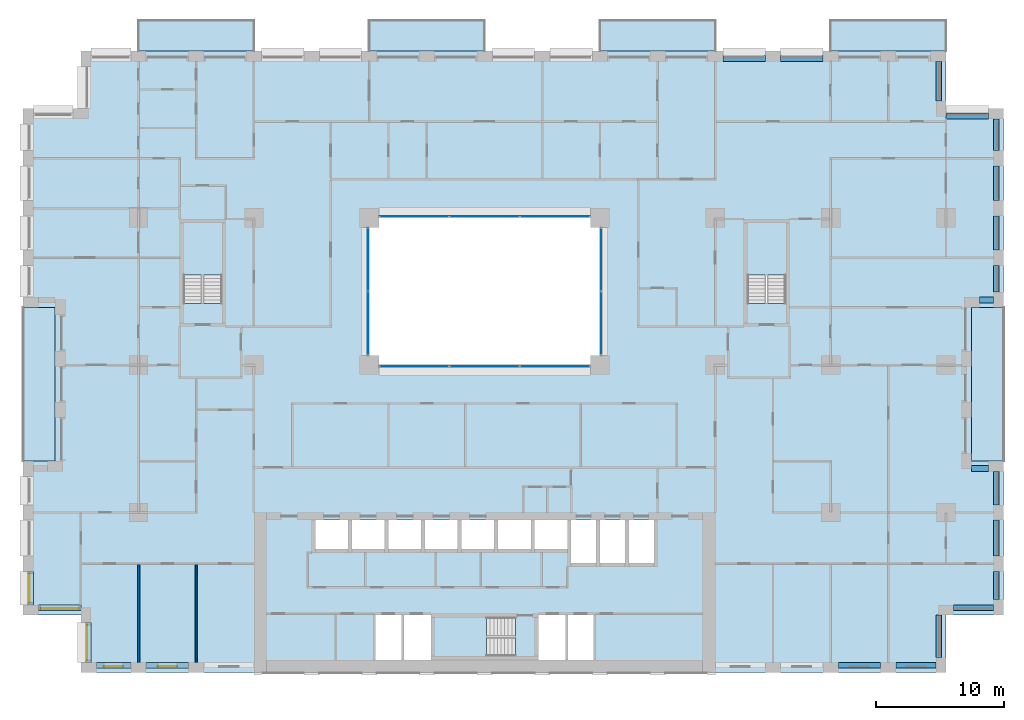
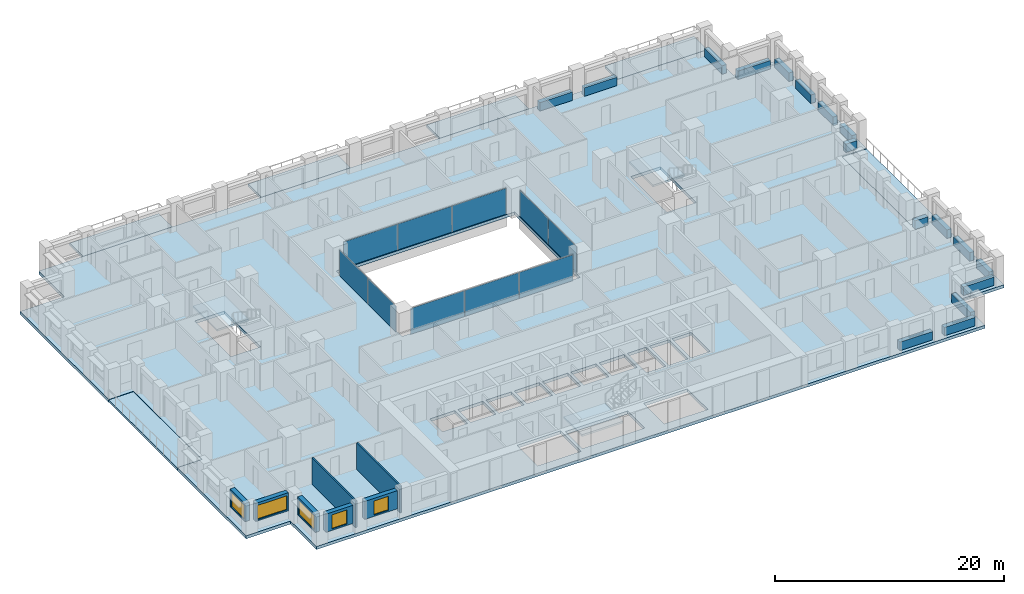
# One storey, part 8 of 19: 17 beams, 10 plates, 10 slabs, 7 walls, 5 windows, 5 openings, 7 elements without a shape of their own.
"""IFC4 building model written with IfcOpenShell, lengths in metres."""

from ifc_helpers import new_model, si_unit, direction, frame, frame_2d, origin, origin_2d, place, context, subcontext, project, spatial, polyline, rectangle, outline, extrude, material, layer, layer_set, material_profile, profile_set, type_object, element, fill, aggregate, save


model = new_model("IFC4")

# Units and contexts
model_context = context("Model", 3, precision=1e-05, world=origin(), true_north=direction((0.0, 1.0)))
body_context = subcontext(model_context, "Body", "Model", "MODEL_VIEW")
ifc_project = project(units=[si_unit("LENGTHUNIT", "METRE"), si_unit("AREAUNIT", "SQUARE_METRE"), si_unit("VOLUMEUNIT", "CUBIC_METRE"), si_unit("PLANEANGLEUNIT", "RADIAN"), si_unit("MASSUNIT", "GRAM", prefix="KILO")], contexts=[model_context])

# Site, building, storey
site_placement = place(None, origin())
site = spatial("IfcSite", under=ifc_project, at=site_placement, CompositionType="ELEMENT")
building_placement = place(site_placement, origin())
building = spatial("IfcBuilding", under=site, at=building_placement, Name="Brigalow Station Residences", CompositionType="ELEMENT")
storey_placement = place(building_placement, frame((0.0, 0.0, 35.25)))
storey = spatial("IfcBuildingStorey", under=building, at=storey_placement, Name="L09", CompositionType="ELEMENT", Elevation=35.25)

# Beams
ifc_material_1 = material(Name="Concrete C65", Category="concrete")
ifc_material_profile = material_profile(ifc_material_1, rectangle(XDim=0.449951171875, YDim=0.89990234375, at=origin_2d()), Name="RC450x900")
ifc_profile_set = profile_set([ifc_material_profile], Name="Concrete C65")
beam_type = type_object("IfcBeamType", Name="SPANDREL BEAM 450x900 C65", PredefinedType="SPANDREL", material=ifc_profile_set)
beam_1_placement = place(storey_placement, frame((63.60009765625, 0.574951171875, 0.449951171875), z_axis=(1.0, 0.0, 0.0), x_axis=(0.0, 1.0, 0.0)))
element("IfcBeam", 1, at=beam_1_placement, inside=storey, type_object=beam_type, Name="L09/spandrel/W-L09-7", PredefinedType="SPANDREL", context=body_context, shape_type="SweptSolid", body=[
    extrude(rectangle(XDim=0.449951171875, YDim=0.89990234375, at=origin_2d()), origin(), (0.0, 0.0, 1.0), 3.2998046875),
])
beam_2_placement = place(storey_placement, frame((68.10009765625, 0.574951171875, 0.449951171875), z_axis=(1.0, 0.0, 0.0), x_axis=(0.0, 1.0, 0.0)))
element("IfcBeam", 2, at=beam_2_placement, inside=storey, type_object=beam_type, Name="L09/spandrel/W-L09-8", PredefinedType="SPANDREL", context=body_context, shape_type="SweptSolid", body=[
    extrude(rectangle(XDim=0.449951171875, YDim=0.89990234375, at=origin_2d()), origin(), (0.0, 0.0, 1.0), 3.099853515625),
])
beam_3_placement = place(storey_placement, frame((71.425048828125, 1.199951171875, 0.449951171875), z_axis=(0.0, 1.0, 0.0), x_axis=(-1.0, 0.0, 0.0)))
element("IfcBeam", 3, at=beam_3_placement, inside=storey, type_object=beam_type, Name="L09/spandrel/W-L09-9", PredefinedType="SPANDREL", context=body_context, shape_type="SweptSolid", body=[
    extrude(rectangle(XDim=0.449951171875, YDim=0.89990234375, at=origin_2d()), origin(), (0.0, 0.0, 1.0), 3.300048828125),
])
beam_4_placement = place(storey_placement, frame((72.60009765625, 5.074951171875, 0.449951171875), z_axis=(1.0, 0.0, 0.0), x_axis=(0.0, 1.0, 0.0)))
element("IfcBeam", 4, at=beam_4_placement, inside=storey, type_object=beam_type, Name="L09/spandrel/W-L09-10", PredefinedType="SPANDREL", context=body_context, shape_type="SweptSolid", body=[
    extrude(rectangle(XDim=0.449951171875, YDim=0.89990234375, at=origin_2d()), origin(), (0.0, 0.0, 1.0), 3.099853515625),
])
beam_5_placement = place(storey_placement, frame((75.925048828125, 5.699951171875, 0.449951171875), z_axis=(0.0, 1.0, 0.0), x_axis=(-1.0, 0.0, 0.0)))
element("IfcBeam", 5, at=beam_5_placement, inside=storey, type_object=beam_type, Name="L09/spandrel/W-L09-11", PredefinedType="SPANDREL", context=body_context, shape_type="SweptSolid", body=[
    extrude(rectangle(XDim=0.449951171875, YDim=0.89990234375, at=origin_2d()), origin(), (0.0, 0.0, 1.0), 2.199951171875),
])
beam_6_placement = place(storey_placement, frame((75.925048828125, 9.10009765625, 0.449951171875), z_axis=(0.0, 1.0, 0.0), x_axis=(-1.0, 0.0, 0.0)))
element("IfcBeam", 6, at=beam_6_placement, inside=storey, type_object=beam_type, Name="L09/spandrel/W-L09-12", PredefinedType="SPANDREL", context=body_context, shape_type="SweptSolid", body=[
    extrude(rectangle(XDim=0.449951171875, YDim=0.89990234375, at=origin_2d()), origin(), (0.0, 0.0, 1.0), 2.7998046875),
])
beam_7_placement = place(storey_placement, frame((75.925048828125, 13.10009765625, 0.449951171875), z_axis=(0.0, 1.0, 0.0), x_axis=(-1.0, 0.0, 0.0)))
element("IfcBeam", 7, at=beam_7_placement, inside=storey, type_object=beam_type, Name="L09/spandrel/W-L09-13", PredefinedType="SPANDREL", context=body_context, shape_type="SweptSolid", body=[
    extrude(rectangle(XDim=0.449951171875, YDim=0.89990234375, at=origin_2d()), origin(), (0.0, 0.0, 1.0), 2.599853515625),
])
beam_8_placement = place(storey_placement, frame((75.300048828125, 15.925048828125, 0.449951171875), z_axis=(-1.0, 0.0, 0.0), x_axis=(0.0, -1.0, 0.0)))
element("IfcBeam", 8, at=beam_8_placement, inside=storey, type_object=beam_type, Name="L09/spandrel/W-L09-14", PredefinedType="SPANDREL", context=body_context, shape_type="SweptSolid", body=[
    extrude(rectangle(XDim=0.449951171875, YDim=0.89990234375, at=origin_2d()), origin(), (0.0, 0.0, 1.0), 1.300048828125),
])
beam_9_placement = place(storey_placement, frame((74.60009765625, 29.074951171875, 0.449951171875), z_axis=(1.0, 0.0, 0.0), x_axis=(0.0, 1.0, 0.0)))
element("IfcBeam", 9, at=beam_9_placement, inside=storey, type_object=beam_type, Name="L09/spandrel/W-L09-18", PredefinedType="SPANDREL", context=body_context, shape_type="SweptSolid", body=[
    extrude(rectangle(XDim=0.449951171875, YDim=0.89990234375, at=origin_2d()), origin(), (0.0, 0.0, 1.0), 1.099853515625),
])
beam_10_placement = place(storey_placement, frame((75.925048828125, 29.699951171875, 0.449951171875), z_axis=(0.0, 1.0, 0.0), x_axis=(-1.0, 0.0, 0.0)))
element("IfcBeam", 10, at=beam_10_placement, inside=storey, type_object=beam_type, Name="L09/spandrel/W-L09-19", PredefinedType="SPANDREL", context=body_context, shape_type="SweptSolid", body=[
    extrude(rectangle(XDim=0.449951171875, YDim=0.89990234375, at=origin_2d()), origin(), (0.0, 0.0, 1.0), 2.074951171875),
])
for number, where, z_axis, x_axis, name in (
    (11, (75.925048828125, 32.97509765625, 0.449951171875), (0.0, 1.0, 0.0), (-1.0, 0.0, 0.0), "L09/spandrel/W-L09-20"),
    (12, (75.925048828125, 36.85009765625, 0.449951171875), (0.0, 1.0, 0.0), (-1.0, 0.0, 0.0), "L09/spandrel/W-L09-21"),
):
    element("IfcBeam", number, at=place(storey_placement, frame(where, z_axis=z_axis, x_axis=x_axis)), inside=storey, type_object=beam_type, Name=name, PredefinedType="SPANDREL", context=body_context, shape_type="SweptSolid", body=[
        extrude(rectangle(XDim=0.449951171875, YDim=0.89990234375, at=origin_2d()), origin(), (0.0, 0.0, 1.0), 2.6748046875),
    ])
beam_11_placement = place(storey_placement, frame((75.925048828125, 40.72509765625, 0.449951171875), z_axis=(0.0, 1.0, 0.0), x_axis=(-1.0, 0.0, 0.0)))
element("IfcBeam", 13, at=beam_11_placement, inside=storey, type_object=beam_type, Name="L09/spandrel/W-L09-22", PredefinedType="SPANDREL", context=body_context, shape_type="SweptSolid", body=[
    extrude(rectangle(XDim=0.449951171875, YDim=0.89990234375, at=origin_2d()), origin(), (0.0, 0.0, 1.0), 2.474853515625),
])
beam_12_placement = place(storey_placement, frame((75.300048828125, 43.425048828125, 0.449951171875), z_axis=(-1.0, 0.0, 0.0), x_axis=(0.0, -1.0, 0.0)))
element("IfcBeam", 14, at=beam_12_placement, inside=storey, type_object=beam_type, Name="L09/spandrel/W-L09-23", PredefinedType="SPANDREL", context=body_context, shape_type="SweptSolid", body=[
    extrude(rectangle(XDim=0.449951171875, YDim=0.89990234375, at=origin_2d()), origin(), (0.0, 0.0, 1.0), 3.300048828125),
])
beam_13_placement = place(storey_placement, frame((71.425048828125, 44.60009765625, 0.449951171875), z_axis=(0.0, 1.0, 0.0), x_axis=(-1.0, 0.0, 0.0)))
element("IfcBeam", 15, at=beam_13_placement, inside=storey, type_object=beam_type, Name="L09/spandrel/W-L09-24", PredefinedType="SPANDREL", context=body_context, shape_type="SweptSolid", body=[
    extrude(rectangle(XDim=0.449951171875, YDim=0.89990234375, at=origin_2d()), origin(), (0.0, 0.0, 1.0), 3.099853515625),
])
for number, where, z_axis, x_axis, name in (
    (16, (62.39990234375, 47.925048828125, 0.449951171875), (-1.0, 0.0, 0.0), (0.0, -1.0, 0.0), "L09/spandrel/W-L09-27"),
    (17, (57.89990234375, 47.925048828125, 0.449951171875), (-1.0, 0.0, 0.0), (0.0, -1.0, 0.0), "L09/spandrel/W-L09-28"),
):
    element("IfcBeam", number, at=place(storey_placement, frame(where, z_axis=z_axis, x_axis=x_axis)), inside=storey, type_object=beam_type, Name=name, PredefinedType="SPANDREL", context=body_context, shape_type="SweptSolid", body=[
        extrude(rectangle(XDim=0.449951171875, YDim=0.89990234375, at=origin_2d()), origin(), (0.0, 0.0, 1.0), 3.2998046875),
    ])

# Curtain wall, plates
ifc_material_2 = material(Name="Aluminium", Category="aluminium")
ifc_layer_1 = layer(ifc_material_2, 0.14990234375)
ifc_layer_set_1 = layer_set([ifc_layer_1], Name="ATRIUM FIRE-RATED GLAZING CURTAIN WALL")
curtain_wall_type = type_object("IfcCurtainWallType", Name="ATRIUM FIRE-RATED GLAZING CURTAIN WALL", PredefinedType="NOTDEFINED", material=ifc_layer_set_1)
curtain_wall_1_placement = place(storey_placement, origin())
curtain_wall_1 = element("IfcCurtainWall", 18, at=curtain_wall_1_placement, inside=storey, type_object=curtain_wall_type, Name="L09/cw/atrium-S", PredefinedType="NOTDEFINED")
ifc_material_3 = material(Name="Fire-resisting laminated glazing, FRL -/60/-", Category="glass")
ifc_layer_2 = layer(ifc_material_3, 0.031982421875)
ifc_layer_set_2 = layer_set([ifc_layer_2], Name="ATRIUM FIRE-RATED GLAZING PANEL 32")
plate_type = type_object("IfcPlateType", Name="ATRIUM FIRE-RATED GLAZING PANEL 32", PredefinedType="CURTAIN_PANEL", material=ifc_layer_set_2)
plate_1_placement = place(storey_placement, frame((30.514892578125, 23.89990234375, 0.0), z_axis=(0.0, 0.0, 1.0), x_axis=(1.0, 0.0, 0.0)))
plate_1 = element("IfcPlate", 19, at=plate_1_placement, type_object=plate_type, Name="L09/cw/atrium-S/P00-00", PredefinedType="CURTAIN_PANEL", context=body_context, shape_type="SweptSolid", body=[
    extrude(rectangle(XDim=5.409912109375, YDim=0.031982421875, at=origin_2d()), origin(), (0.0, 0.0, 1.0), 2.77001953125),
])
plate_2_placement = place(storey_placement, frame((36.0, 23.89990234375, 0.0), z_axis=(0.0, 0.0, 1.0), x_axis=(1.0, 0.0, 0.0)))
plate_2 = element("IfcPlate", 20, at=plate_2_placement, type_object=plate_type, Name="L09/cw/atrium-S/P01-00", PredefinedType="CURTAIN_PANEL", context=body_context, shape_type="SweptSolid", body=[
    extrude(rectangle(XDim=5.43994140625, YDim=0.031982421875, at=origin_2d()), origin(), (0.0, 0.0, 1.0), 2.77001953125),
])
plate_3_placement = place(storey_placement, frame((41.485107421875, 23.89990234375, 0.0), z_axis=(0.0, 0.0, 1.0), x_axis=(1.0, 0.0, 0.0)))
plate_3 = element("IfcPlate", 21, at=plate_3_placement, type_object=plate_type, Name="L09/cw/atrium-S/P02-00", PredefinedType="CURTAIN_PANEL", context=body_context, shape_type="SweptSolid", body=[
    extrude(rectangle(XDim=5.409912109375, YDim=0.031982421875, at=origin_2d()), origin(), (0.0, 0.0, 1.0), 2.77001953125),
])
aggregate(curtain_wall_1, [plate_1, plate_2, plate_3])

curtain_wall_2_placement = place(storey_placement, origin())
curtain_wall_2 = element("IfcCurtainWall", 22, at=curtain_wall_2_placement, inside=storey, type_object=curtain_wall_type, Name="L09/cw/atrium-E", PredefinedType="NOTDEFINED")
plate_4_placement = place(storey_placement, frame((45.10009765625, 27.264892578125, 0.0), z_axis=(0.0, 0.0, 1.0), x_axis=(0.0, 1.0, 0.0)))
plate_4 = element("IfcPlate", 23, at=plate_4_placement, type_object=plate_type, Name="L09/cw/atrium-E/P00-00", PredefinedType="CURTAIN_PANEL", context=body_context, shape_type="SweptSolid", body=[
    extrude(rectangle(XDim=4.909912109375, YDim=0.031982421875, at=origin_2d()), origin(), (0.0, 0.0, 1.0), 2.77001953125),
])
plate_5_placement = place(storey_placement, frame((45.10009765625, 32.235107421875, 0.0), z_axis=(0.0, 0.0, 1.0), x_axis=(0.0, 1.0, 0.0)))
plate_5 = element("IfcPlate", 24, at=plate_5_placement, type_object=plate_type, Name="L09/cw/atrium-E/P01-00", PredefinedType="CURTAIN_PANEL", context=body_context, shape_type="SweptSolid", body=[
    extrude(rectangle(XDim=4.909912109375, YDim=0.031982421875, at=origin_2d()), origin(), (0.0, 0.0, 1.0), 2.77001953125),
])
aggregate(curtain_wall_2, [plate_4, plate_5])

curtain_wall_3_placement = place(storey_placement, origin())
curtain_wall_3 = element("IfcCurtainWall", 25, at=curtain_wall_3_placement, inside=storey, type_object=curtain_wall_type, Name="L09/cw/atrium-N", PredefinedType="NOTDEFINED")
plate_6_placement = place(storey_placement, frame((41.485107421875, 35.60009765625, 0.0), z_axis=(0.0, 0.0, 1.0), x_axis=(-1.0, 0.0, 0.0)))
plate_6 = element("IfcPlate", 26, at=plate_6_placement, type_object=plate_type, Name="L09/cw/atrium-N/P00-00", PredefinedType="CURTAIN_PANEL", context=body_context, shape_type="SweptSolid", body=[
    extrude(rectangle(XDim=5.409912109375, YDim=0.031982421875, at=origin_2d()), origin(), (0.0, 0.0, 1.0), 2.77001953125),
])
plate_7_placement = place(storey_placement, frame((36.0, 35.60009765625, 0.0), z_axis=(0.0, 0.0, 1.0), x_axis=(-1.0, 0.0, 0.0)))
plate_7 = element("IfcPlate", 27, at=plate_7_placement, type_object=plate_type, Name="L09/cw/atrium-N/P01-00", PredefinedType="CURTAIN_PANEL", context=body_context, shape_type="SweptSolid", body=[
    extrude(rectangle(XDim=5.43994140625, YDim=0.031982421875, at=origin_2d()), origin(), (0.0, 0.0, 1.0), 2.77001953125),
])
plate_8_placement = place(storey_placement, frame((30.514892578125, 35.60009765625, 0.0), z_axis=(0.0, 0.0, 1.0), x_axis=(-1.0, 0.0, 0.0)))
plate_8 = element("IfcPlate", 28, at=plate_8_placement, type_object=plate_type, Name="L09/cw/atrium-N/P02-00", PredefinedType="CURTAIN_PANEL", context=body_context, shape_type="SweptSolid", body=[
    extrude(rectangle(XDim=5.409912109375, YDim=0.031982421875, at=origin_2d()), origin(), (0.0, 0.0, 1.0), 2.77001953125),
])
aggregate(curtain_wall_3, [plate_6, plate_7, plate_8])

curtain_wall_4_placement = place(storey_placement, origin())
curtain_wall_4 = element("IfcCurtainWall", 29, at=curtain_wall_4_placement, inside=storey, type_object=curtain_wall_type, Name="L09/cw/atrium-W", PredefinedType="NOTDEFINED")
plate_9_placement = place(storey_placement, frame((26.89990234375, 32.235107421875, 0.0), z_axis=(0.0, 0.0, 1.0), x_axis=(0.0, -1.0, 0.0)))
plate_9 = element("IfcPlate", 30, at=plate_9_placement, type_object=plate_type, Name="L09/cw/atrium-W/P00-00", PredefinedType="CURTAIN_PANEL", context=body_context, shape_type="SweptSolid", body=[
    extrude(rectangle(XDim=4.909912109375, YDim=0.031982421875, at=origin_2d()), origin(), (0.0, 0.0, 1.0), 2.77001953125),
])
plate_10_placement = place(storey_placement, frame((26.89990234375, 27.264892578125, 0.0), z_axis=(0.0, 0.0, 1.0), x_axis=(0.0, -1.0, 0.0)))
plate_10 = element("IfcPlate", 31, at=plate_10_placement, type_object=plate_type, Name="L09/cw/atrium-W/P01-00", PredefinedType="CURTAIN_PANEL", context=body_context, shape_type="SweptSolid", body=[
    extrude(rectangle(XDim=4.909912109375, YDim=0.031982421875, at=origin_2d()), origin(), (0.0, 0.0, 1.0), 2.77001953125),
])
aggregate(curtain_wall_4, [plate_9, plate_10])

# Slabs
ifc_material_4 = material(Name="Concrete C50 precast", Category="concrete")
ifc_layer_3 = layer(ifc_material_4, 0.25)
ifc_layer_set_3 = layer_set([ifc_layer_3], Name="BALCONY SLAB 250")
slab_type_1 = type_object("IfcSlabType", Name="BALCONY SLAB 250", PredefinedType="USERDEFINED", material=ifc_layer_set_3)
slab_1_placement = place(storey_placement, frame((0.0, 0.0, -0.2900390625)))
element("IfcSlab", 32, at=slab_1_placement, inside=storey, type_object=slab_type_1, Name="L09/balcony/1", ObjectType="BALCONY", PredefinedType="USERDEFINED", context=body_context, shape_type="SweptSolid", body=[
    extrude(outline(polyline([(74.0, 16.5), (76.5, 16.5), (76.5, 28.5), (74.0, 28.5), (74.0, 16.5)])), origin(), (0.0, 0.0, 1.0), 0.25),
])
slab_2_placement = place(storey_placement, frame((0.0, 0.0, -0.2900390625)))
element("IfcSlab", 33, at=slab_2_placement, inside=storey, type_object=slab_type_1, Name="L09/balcony/2", ObjectType="BALCONY", PredefinedType="USERDEFINED", context=body_context, shape_type="SweptSolid", body=[
    extrude(outline(polyline([(72.0, 48.5), (72.0, 50.89990234375), (63.0, 50.89990234375), (63.0, 48.5), (72.0, 48.5)])), origin(), (0.0, 0.0, 1.0), 0.25),
])
slab_3_placement = place(storey_placement, frame((0.0, 0.0, -0.2900390625)))
element("IfcSlab", 34, at=slab_3_placement, inside=storey, type_object=slab_type_1, Name="L09/balcony/3", ObjectType="BALCONY", PredefinedType="USERDEFINED", context=body_context, shape_type="SweptSolid", body=[
    extrude(outline(polyline([(54.0, 48.5), (54.0, 50.89990234375), (45.0, 50.89990234375), (45.0, 48.5), (54.0, 48.5)])), origin(), (0.0, 0.0, 1.0), 0.25),
])
slab_4_placement = place(storey_placement, frame((0.0, 0.0, -0.2900390625)))
element("IfcSlab", 35, at=slab_4_placement, inside=storey, type_object=slab_type_1, Name="L09/balcony/4", ObjectType="BALCONY", PredefinedType="USERDEFINED", context=body_context, shape_type="SweptSolid", body=[
    extrude(outline(polyline([(36.0, 48.5), (36.0, 50.89990234375), (27.0, 50.89990234375), (27.0, 48.5), (36.0, 48.5)])), origin(), (0.0, 0.0, 1.0), 0.25),
])
slab_5_placement = place(storey_placement, frame((0.0, 0.0, -0.2900390625)))
element("IfcSlab", 36, at=slab_5_placement, inside=storey, type_object=slab_type_1, Name="L09/balcony/5", ObjectType="BALCONY", PredefinedType="USERDEFINED", context=body_context, shape_type="SweptSolid", body=[
    extrude(outline(polyline([(18.0, 48.5), (18.0, 50.89990234375), (9.0, 50.89990234375), (9.0, 48.5), (18.0, 48.5)])), origin(), (0.0, 0.0, 1.0), 0.25),
])
slab_6_placement = place(storey_placement, frame((0.0, 0.0, -0.2900390625)))
element("IfcSlab", 37, at=slab_6_placement, inside=storey, type_object=slab_type_1, Name="L09/balcony/6", ObjectType="BALCONY", PredefinedType="USERDEFINED", context=body_context, shape_type="SweptSolid", body=[
    extrude(outline(polyline([(2.5, 28.5), (0.0, 28.5), (0.0, 16.5), (2.5, 16.5), (2.5, 28.5)])), origin(), (0.0, 0.0, 1.0), 0.25),
])
ifc_material_5 = material(Name="Concrete C50", Category="concrete")
ifc_layer_4 = layer(ifc_material_5, 0.320068359375)
ifc_layer_set_4 = layer_set([ifc_layer_4], Name="POST-TENSIONED FLAT PLATE 320 C50")
slab_type_2 = type_object("IfcSlabType", Name="POST-TENSIONED FLAT PLATE 320 C50", PredefinedType="FLOOR", material=ifc_layer_set_4)
slab_7_placement = place(storey_placement, frame((0.0, 0.0, -0.320068359375)))
element("IfcSlab", 38, at=slab_7_placement, inside=storey, type_object=slab_type_2, Name="FLOOR SLAB L09", PredefinedType="FLOOR", context=body_context, shape_type="SweptSolid", body=[
    extrude(outline(polyline([(4.5, 0.0), (72.0, 0.0), (72.0, 4.5), (76.5, 4.5), (76.5, 16.5), (74.0, 16.5), (74.0, 28.5), (76.5, 28.5), (76.5, 44.0), (72.0, 44.0), (72.0, 48.5), (4.5, 48.5), (4.5, 44.0), (0.0, 44.0), (0.0, 28.5), (2.5, 28.5), (2.5, 16.5), (0.0, 16.5), (0.0, 4.5), (4.5, 4.5), (4.5, 0.0)]), holes=[polyline([(15.4951171875, 35.094970703125), (15.4951171875, 28.804931640625), (12.5048828125, 28.804931640625), (12.5048828125, 35.094970703125), (15.4951171875, 35.094970703125)]), polyline([(22.800048828125, 11.89990234375), (25.35009765625, 11.89990234375), (25.35009765625, 9.64990234375), (22.800048828125, 9.64990234375), (22.800048828125, 11.89990234375)]), polyline([(25.64990234375, 11.89990234375), (28.199951171875, 11.89990234375), (28.199951171875, 9.64990234375), (25.64990234375, 9.64990234375), (25.64990234375, 11.89990234375)]), polyline([(28.5, 11.89990234375), (31.050048828125, 11.89990234375), (31.050048828125, 9.64990234375), (28.5, 9.64990234375), (28.5, 11.89990234375)]), polyline([(29.60009765625, 1.0), (27.39990234375, 1.0), (27.39990234375, 4.60009765625), (29.60009765625, 4.60009765625), (31.800048828125, 4.60009765625), (31.800048828125, 1.0), (29.60009765625, 1.0)]), polyline([(31.35009765625, 11.89990234375), (33.89990234375, 11.89990234375), (33.89990234375, 9.64990234375), (31.35009765625, 9.64990234375), (31.35009765625, 11.89990234375)]), polyline([(32.10498046875, 4.294921875), (38.39501953125, 4.294921875), (38.39501953125, 1.304931640625), (32.10498046875, 1.304931640625), (32.10498046875, 4.294921875)]), polyline([(36.75, 11.89990234375), (36.75, 9.64990234375), (34.199951171875, 9.64990234375), (34.199951171875, 11.89990234375), (36.75, 11.89990234375)]), polyline([(37.050048828125, 11.89990234375), (39.60009765625, 11.89990234375), (39.60009765625, 9.64990234375), (37.050048828125, 9.64990234375), (37.050048828125, 11.89990234375)]), polyline([(39.89990234375, 11.89990234375), (42.449951171875, 11.89990234375), (42.449951171875, 9.64990234375), (39.89990234375, 9.64990234375), (39.89990234375, 11.89990234375)]), polyline([(42.39990234375, 1.0), (40.199951171875, 1.0), (40.199951171875, 4.60009765625), (42.39990234375, 4.60009765625), (44.60009765625, 4.60009765625), (44.60009765625, 1.0), (42.39990234375, 1.0)]), polyline([(42.75, 11.89990234375), (44.699951171875, 11.89990234375), (44.699951171875, 8.550048828125), (42.75, 8.550048828125), (42.75, 11.89990234375)]), polyline([(45.0, 11.89990234375), (46.949951171875, 11.89990234375), (46.949951171875, 8.550048828125), (45.0, 8.550048828125), (45.0, 11.89990234375)]), polyline([(45.0, 35.5), (45.0, 24.0), (27.0, 24.0), (27.0, 35.5), (45.0, 35.5)]), polyline([(47.25, 11.89990234375), (49.199951171875, 11.89990234375), (49.199951171875, 8.550048828125), (47.25, 8.550048828125), (47.25, 11.89990234375)]), polyline([(59.4951171875, 35.094970703125), (59.4951171875, 28.804931640625), (56.5048828125, 28.804931640625), (56.5048828125, 35.094970703125), (59.4951171875, 35.094970703125)])]), origin(), (0.0, 0.0, 1.0), 0.320068359375),
])

# Stair, slab
ifc_material_6 = material(Name="Concrete C50", Category="concrete")
stair_type = type_object("IfcStairType", Name="EXIT STAIR 1400 2 FLIGHT", PredefinedType="HALF_TURN_STAIR", material=ifc_material_6)
stair_1_placement = place(storey_placement, origin())
stair_1 = element("IfcStair", 39, at=stair_1_placement, inside=storey, type_object=stair_type, Name="EXIT STAIR S2 L09", PredefinedType="HALF_TURN_STAIR")
ifc_material_7 = material(Name="Concrete C50", Category="concrete")
ifc_layer_5 = layer(ifc_material_7, 0.199951171875)
ifc_layer_set_5 = layer_set([ifc_layer_5], Name="STAIR LANDING 200")
slab_type_3 = type_object("IfcSlabType", Name="STAIR LANDING 200", PredefinedType="LANDING", material=ifc_layer_set_5)
slab_8_placement = place(storey_placement, frame((0.0, 0.0, 1.375)))
slab_8 = element("IfcSlab", 40, at=slab_8_placement, type_object=slab_type_3, Name="ST-2 landing 1", PredefinedType="LANDING", context=body_context, shape_type="SweptSolid", body=[
    extrude(outline(polyline([(32.0, 1.199951171875), (36.159912109375, 1.199951171875), (36.159912109375, 4.39990234375), (32.0, 4.39990234375), (32.0, 1.199951171875)])), origin(), (0.0, 0.0, 1.0), 0.199951171875),
])
aggregate(stair_1, [slab_8])

stair_2_placement = place(storey_placement, origin())
stair_2 = element("IfcStair", 41, at=stair_2_placement, inside=storey, type_object=stair_type, Name="EXIT STAIR S1 L09", PredefinedType="HALF_TURN_STAIR")
slab_9_placement = place(storey_placement, frame((0.0, 0.0, 1.375)))
slab_9 = element("IfcSlab", 42, at=slab_9_placement, type_object=slab_type_3, Name="ST-1 landing 1", PredefinedType="LANDING", context=body_context, shape_type="SweptSolid", body=[
    extrude(outline(polyline([(12.39990234375, 31.0400390625), (15.60009765625, 31.0400390625), (15.60009765625, 35.199951171875), (12.39990234375, 35.199951171875), (12.39990234375, 31.0400390625)])), origin(), (0.0, 0.0, 1.0), 0.199951171875),
])
aggregate(stair_2, [slab_9])

stair_3_placement = place(storey_placement, origin())
stair_3 = element("IfcStair", 43, at=stair_3_placement, inside=storey, type_object=stair_type, Name="EXIT STAIR S3 L09", PredefinedType="HALF_TURN_STAIR")
slab_10_placement = place(storey_placement, frame((0.0, 0.0, 1.375)))
slab_10 = element("IfcSlab", 44, at=slab_10_placement, type_object=slab_type_3, Name="ST-3 landing 1", PredefinedType="LANDING", context=body_context, shape_type="SweptSolid", body=[
    extrude(outline(polyline([(56.39990234375, 31.0400390625), (59.60009765625, 31.0400390625), (59.60009765625, 35.199951171875), (56.39990234375, 35.199951171875), (56.39990234375, 31.0400390625)])), origin(), (0.0, 0.0, 1.0), 0.199951171875),
])
aggregate(stair_3, [slab_10])

# Wall, opening, window
ifc_material_8 = material(Name="Clay brick masonry", Category="masonry")
ifc_layer_6 = layer(ifc_material_8, 0.449951171875)
ifc_layer_set_6 = layer_set([ifc_layer_6], Name="BRICK INFILL WALL 450")
wall_type_1 = type_object("IfcWallType", Name="BRICK INFILL WALL 450", PredefinedType="SOLIDWALL", material=ifc_layer_set_6)
wall_1_placement = place(storey_placement, frame((5.699951171875, 0.574951171875, 0.89990234375), z_axis=(0.0, 0.0, 1.0), x_axis=(1.0, 0.0, 0.0)))
wall_1 = element("IfcWall", 45, at=wall_1_placement, inside=storey, type_object=wall_type_1, Name="L09/ewall/W-L09-1", PredefinedType="SOLIDWALL", context=body_context, shape_type="SweptSolid", body=[
    extrude(rectangle(XDim=2.699951171875, YDim=0.449951171875, at=frame_2d((1.35009765625, 0.0))), origin(), (0.0, 0.0, 1.0), 1.93017578125),
])
opening_1_placement = place(wall_1_placement, frame((0.60009765625, 0.0, 0.14990234375)))
opening_1 = element("IfcOpeningElement", 46, at=opening_1_placement, cuts=wall_1, Name="Opening WT-1", PredefinedType="OPENING", context=body_context, shape_type="SweptSolid", body=[
    extrude(rectangle(XDim=1.5, YDim=1.5, at=frame_2d((0.75, 0.75))), frame((0.0, 0.23486328125, 0.0), z_axis=(0.0, -1.0, 0.0), x_axis=(1.0, 0.0, 0.0)), (0.0, 0.0, 1.0), 0.469970703125),
])
ifc_material_9 = material(Name="Anodised aluminium frame with double glazing", Category="aluminium")
window_type_1 = type_object("IfcWindowType", Name="WINDOW 1500x1500", PartitioningType="SINGLE_PANEL", PredefinedType="WINDOW", material=ifc_material_9)
window_1_placement = place(opening_1_placement, origin())
window_1 = element("IfcWindow", 47, at=window_1_placement, inside=storey, type_object=window_type_1, Name="L09/window/W-L09-1", OverallHeight=1.5, OverallWidth=1.5, PartitioningType="SINGLE_PANEL", PredefinedType="WINDOW", context=body_context, shape_type="SweptSolid", body=[
    extrude(rectangle(XDim=1.5, YDim=1.5, at=frame_2d((0.75, 0.75))), frame((0.0, -0.06494140625, 0.0), z_axis=(0.0, -1.0, 0.0), x_axis=(1.0, 0.0, 0.0)), (0.0, 0.0, 1.0), 0.06005859375),
])
fill(opening_1, window_1)

wall_2_placement = place(storey_placement, frame((9.60009765625, 0.574951171875, 0.89990234375), z_axis=(0.0, 0.0, 1.0), x_axis=(1.0, 0.0, 0.0)))
wall_2 = element("IfcWall", 48, at=wall_2_placement, inside=storey, type_object=wall_type_1, Name="L09/ewall/W-L09-2", PredefinedType="SOLIDWALL", context=body_context, shape_type="SweptSolid", body=[
    extrude(rectangle(XDim=3.2998046875, YDim=0.449951171875, at=frame_2d((1.64990234375, 0.0))), origin(), (0.0, 0.0, 1.0), 1.93017578125),
])
opening_2_placement = place(wall_2_placement, frame((0.89990234375, 0.0, 0.14990234375)))
opening_2 = element("IfcOpeningElement", 49, at=opening_2_placement, cuts=wall_2, Name="Opening WT-1", PredefinedType="OPENING", context=body_context, shape_type="SweptSolid", body=[
    extrude(rectangle(XDim=1.5, YDim=1.5, at=frame_2d((0.75, 0.75))), frame((0.0, 0.23486328125, 0.0), z_axis=(0.0, -1.0, 0.0), x_axis=(1.0, 0.0, 0.0)), (0.0, 0.0, 1.0), 0.469970703125),
])
window_2_placement = place(opening_2_placement, origin())
window_2 = element("IfcWindow", 50, at=window_2_placement, inside=storey, type_object=window_type_1, Name="L09/window/W-L09-2", OverallHeight=1.5, OverallWidth=1.5, PartitioningType="SINGLE_PANEL", PredefinedType="WINDOW", context=body_context, shape_type="SweptSolid", body=[
    extrude(rectangle(XDim=1.5, YDim=1.5, at=frame_2d((0.75, 0.75))), frame((0.0, -0.06494140625, 0.0), z_axis=(0.0, -1.0, 0.0), x_axis=(1.0, 0.0, 0.0)), (0.0, 0.0, 1.0), 0.06005859375),
])
fill(opening_2, window_2)

wall_3_placement = place(storey_placement, frame((0.574951171875, 7.89990234375, 0.89990234375), z_axis=(0.0, 0.0, 1.0), x_axis=(0.0, -1.0, 0.0)))
wall_3 = element("IfcWall", 51, at=wall_3_placement, inside=storey, type_object=wall_type_1, Name="L09/ewall/W-L09-53", PredefinedType="SOLIDWALL", context=body_context, shape_type="SweptSolid", body=[
    extrude(rectangle(XDim=2.599853515625, YDim=0.449951171875, at=frame_2d((1.2998046875, 0.0))), origin(), (0.0, 0.0, 1.0), 1.93017578125),
])
opening_3_placement = place(wall_3_placement, frame((0.175048828125, 0.0, 0.14990234375)))
opening_3 = element("IfcOpeningElement", 52, at=opening_3_placement, cuts=wall_3, Name="Opening WT-6", PredefinedType="OPENING", context=body_context, shape_type="SweptSolid", body=[
    extrude(rectangle(XDim=2.25, YDim=1.5, at=frame_2d((1.125, 0.75))), frame((0.0, 0.23486328125, 0.0), z_axis=(0.0, -1.0, 0.0), x_axis=(1.0, 0.0, 0.0)), (0.0, 0.0, 1.0), 0.469970703125),
])
ifc_material_10 = material(Name="Anodised aluminium frame with double glazing", Category="aluminium")
window_type_2 = type_object("IfcWindowType", Name="WINDOW 2250x1500", PartitioningType="SINGLE_PANEL", PredefinedType="WINDOW", material=ifc_material_10)
window_3_placement = place(opening_3_placement, origin())
window_3 = element("IfcWindow", 53, at=window_3_placement, inside=storey, type_object=window_type_2, Name="L09/window/W-L09-53", OverallHeight=1.5, OverallWidth=2.25, PartitioningType="SINGLE_PANEL", PredefinedType="WINDOW", context=body_context, shape_type="SweptSolid", body=[
    extrude(rectangle(XDim=2.25, YDim=1.5, at=frame_2d((1.125, 0.75))), frame((0.0, -0.06494140625, 0.0), z_axis=(0.0, -1.0, 0.0), x_axis=(1.0, 0.0, 0.0)), (0.0, 0.0, 1.0), 0.06005859375),
])
fill(opening_3, window_3)

wall_4_placement = place(storey_placement, frame((1.199951171875, 5.074951171875, 0.89990234375), z_axis=(0.0, 0.0, 1.0), x_axis=(1.0, 0.0, 0.0)))
wall_4 = element("IfcWall", 54, at=wall_4_placement, inside=storey, type_object=wall_type_1, Name="L09/ewall/W-L09-54", PredefinedType="SOLIDWALL", context=body_context, shape_type="SweptSolid", body=[
    extrude(rectangle(XDim=3.300048828125, YDim=0.449951171875, at=frame_2d((1.64990234375, 0.0))), origin(), (0.0, 0.0, 1.0), 1.93017578125),
])
opening_4_placement = place(wall_4_placement, frame((0.14990234375, 0.0, 0.14990234375)))
opening_4 = element("IfcOpeningElement", 55, at=opening_4_placement, cuts=wall_4, Name="Opening WT-2", PredefinedType="OPENING", context=body_context, shape_type="SweptSolid", body=[
    extrude(rectangle(XDim=3.0, YDim=1.5, at=frame_2d((1.5, 0.75))), frame((0.0, 0.23486328125, 0.0), z_axis=(0.0, -1.0, 0.0), x_axis=(1.0, 0.0, 0.0)), (0.0, 0.0, 1.0), 0.469970703125),
])
ifc_material_11 = material(Name="Anodised aluminium frame with double glazing", Category="aluminium")
window_type_3 = type_object("IfcWindowType", Name="WINDOW 3000x1500", PartitioningType="SINGLE_PANEL", PredefinedType="WINDOW", material=ifc_material_11)
window_4_placement = place(opening_4_placement, origin())
window_4 = element("IfcWindow", 56, at=window_4_placement, inside=storey, type_object=window_type_3, Name="L09/window/W-L09-54", OverallHeight=1.5, OverallWidth=3.0, PartitioningType="SINGLE_PANEL", PredefinedType="WINDOW", context=body_context, shape_type="SweptSolid", body=[
    extrude(rectangle(XDim=3.0, YDim=1.5, at=frame_2d((1.5, 0.75))), frame((0.0, -0.06494140625, 0.0), z_axis=(0.0, -1.0, 0.0), x_axis=(1.0, 0.0, 0.0)), (0.0, 0.0, 1.0), 0.06005859375),
])
fill(opening_4, window_4)

wall_5_placement = place(storey_placement, frame((5.074951171875, 3.89990234375, 0.89990234375), z_axis=(0.0, 0.0, 1.0), x_axis=(0.0, -1.0, 0.0)))
wall_5 = element("IfcWall", 57, at=wall_5_placement, inside=storey, type_object=wall_type_1, Name="L09/ewall/W-L09-55", PredefinedType="SOLIDWALL", context=body_context, shape_type="SweptSolid", body=[
    extrude(rectangle(XDim=3.099853515625, YDim=0.449951171875, at=frame_2d((1.5498046875, 0.0))), origin(), (0.0, 0.0, 1.0), 1.93017578125),
])
opening_5_placement = place(wall_5_placement, frame((0.175048828125, 0.0, 0.14990234375)))
opening_5 = element("IfcOpeningElement", 58, at=opening_5_placement, cuts=wall_5, Name="Opening WT-3", PredefinedType="OPENING", context=body_context, shape_type="SweptSolid", body=[
    extrude(rectangle(XDim=2.75, YDim=1.5, at=frame_2d((1.375, 0.75))), frame((0.0, 0.23486328125, 0.0), z_axis=(0.0, -1.0, 0.0), x_axis=(1.0, 0.0, 0.0)), (0.0, 0.0, 1.0), 0.469970703125),
])
ifc_material_12 = material(Name="Anodised aluminium frame with double glazing", Category="aluminium")
window_type_4 = type_object("IfcWindowType", Name="WINDOW 2750x1500", PartitioningType="SINGLE_PANEL", PredefinedType="WINDOW", material=ifc_material_12)
window_5_placement = place(opening_5_placement, origin())
window_5 = element("IfcWindow", 59, at=window_5_placement, inside=storey, type_object=window_type_4, Name="L09/window/W-L09-55", OverallHeight=1.5, OverallWidth=2.75, PartitioningType="SINGLE_PANEL", PredefinedType="WINDOW", context=body_context, shape_type="SweptSolid", body=[
    extrude(rectangle(XDim=2.75, YDim=1.5, at=frame_2d((1.375, 0.75))), frame((0.0, -0.06494140625, 0.0), z_axis=(0.0, -1.0, 0.0), x_axis=(1.0, 0.0, 0.0)), (0.0, 0.0, 1.0), 0.06005859375),
])
fill(opening_5, window_5)

# Walls
ifc_material_13 = material(Name="Plasterboard on steel stud partition", Category="steel")
ifc_layer_7 = layer(ifc_material_13, 0.14990234375)
ifc_layer_set_7 = layer_set([ifc_layer_7], Name="FLAT PARTITION 150")
wall_type_2 = type_object("IfcWallType", Name="FLAT PARTITION 150", PredefinedType="PARTITIONING", material=ifc_layer_set_7)
for number, where, z_axis, x_axis, name in (
    (60, (9.0, 0.800048828125, 0.0), (0.0, 0.0, 1.0), (0.0, 1.0, 0.0), "PW-1B50"),
    (61, (13.5, 0.800048828125, 0.0), (0.0, 0.0, 1.0), (0.0, 1.0, 0.0), "PW-1B56"),
):
    element("IfcWall", number, at=place(storey_placement, frame(where, z_axis=z_axis, x_axis=x_axis)), inside=storey, type_object=wall_type_2, Name=name, PredefinedType="PARTITIONING", context=body_context, shape_type="SweptSolid", body=[
        extrude(rectangle(XDim=7.625, YDim=0.14990234375, at=frame_2d((3.8125, 0.0))), origin(), (0.0, 0.0, 1.0), 2.830078125),
    ])

save(model, "model.ifc")
